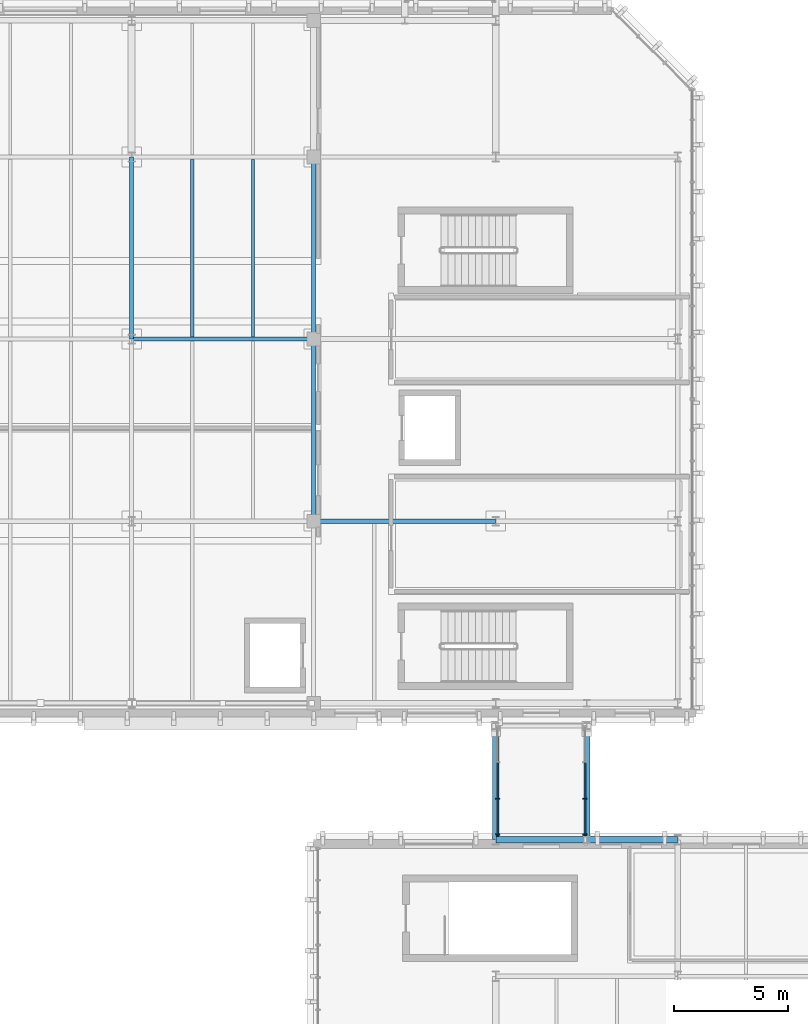
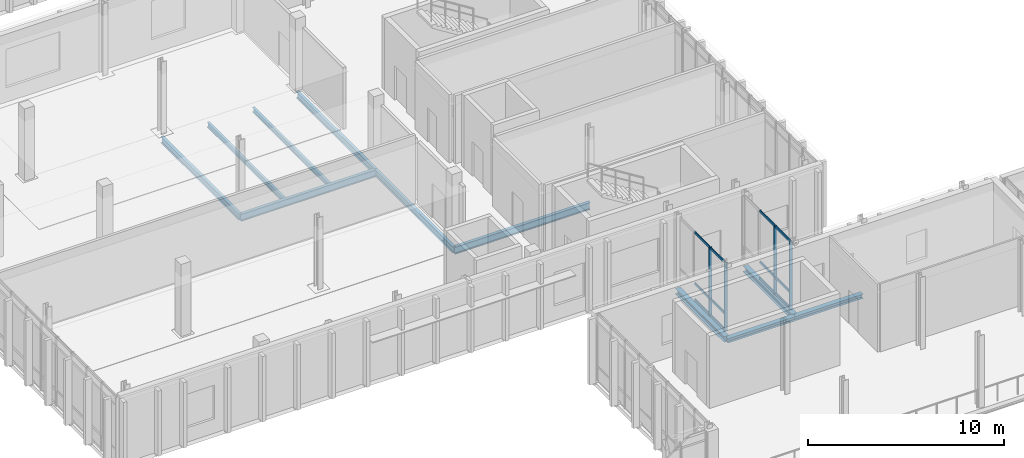
# One storey, part 23 of 100: 16 members, 11 beams, 2 elements without a shape of their own.
"""IFC4 building model written with IfcOpenShell, lengths in metres."""

from ifc_helpers import new_model, si_unit, direction, frame, origin, origin_2d, place, context, subcontext, project, spatial, rectangle, i_section, extrude, material, material_profile, profile_set, type_object, element, aggregate, save


model = new_model("IFC4")

# Units and contexts
model_context = context("Model", 3, precision=1e-05, world=origin(), true_north=direction((0.0, 1.0)))
body_context = subcontext(model_context, "Body", "Model", "MODEL_VIEW")
ifc_project = project(units=[si_unit("LENGTHUNIT", "METRE"), si_unit("AREAUNIT", "SQUARE_METRE"), si_unit("VOLUMEUNIT", "CUBIC_METRE"), si_unit("PLANEANGLEUNIT", "RADIAN"), si_unit("MASSUNIT", "GRAM", prefix="KILO")], contexts=[model_context])

# Site, building, storey
site_placement = place(None, origin())
site = spatial("IfcSite", under=ifc_project, at=site_placement, CompositionType="ELEMENT")
building_placement = place(site_placement, origin())
building = spatial("IfcBuilding", under=site, at=building_placement, Name="Cymarion Research Institute", CompositionType="ELEMENT")
storey_placement = place(building_placement, frame((0.0, 0.0, 9.300048828125)))
storey = spatial("IfcBuildingStorey", under=building, at=storey_placement, Name="L02", CompositionType="ELEMENT", Elevation=9.300048828125)

# Curtain wall, members
ifc_material_1 = material(Name="Anodised aluminium unitised curtain wall with Low-E glazing", Category="aluminium")
curtain_wall_type = type_object("IfcCurtainWallType", Name="UNITISED CURTAIN WALL CW24 4800X4260", PredefinedType="NOTDEFINED", material=ifc_material_1)
curtain_wall_1_placement = place(storey_placement, origin())
curtain_wall_1 = element("IfcCurtainWall", 1, at=curtain_wall_1_placement, inside=storey, type_object=curtain_wall_type, Name="L02 SP1 sky-passage glazed wall 1", PredefinedType="NOTDEFINED")
ifc_material_2 = material(Name="Anodised aluminium framing", Category="aluminium")
ifc_material_profile_1 = material_profile(ifc_material_2, rectangle(XDim=0.06005859375, YDim=0.179931640625, at=origin_2d()), Name="ALU MULLION 60x180")
ifc_profile_set_1 = profile_set([ifc_material_profile_1], Name="Anodised aluminium framing")
member_type_1 = type_object("IfcMemberType", Name="CURTAIN WALL MULLION ML01 60X180", PredefinedType="MULLION", material=ifc_profile_set_1)
member_1_placement = place(storey_placement, frame((38.679931640625, 41.72998046875, 0.0), z_axis=(0.0, 0.0, 1.0), x_axis=(0.0, 1.0, 0.0)))
member_1 = element("IfcMember", 2, at=member_1_placement, type_object=member_type_1, Name="CW24 mullion 1", PredefinedType="MULLION", context=body_context, shape_type="SweptSolid", body=[
    extrude(rectangle(XDim=0.06005859375, YDim=0.179931640625, at=origin_2d()), origin(), (0.0, 0.0, 1.0), 4.260009765625),
])
member_2_placement = place(storey_placement, frame((38.679931640625, 43.300048828125, 0.0), z_axis=(0.0, 0.0, 1.0), x_axis=(0.0, 1.0, 0.0)))
member_2 = element("IfcMember", 3, at=member_2_placement, type_object=member_type_1, Name="CW24 mullion 2", PredefinedType="MULLION", context=body_context, shape_type="SweptSolid", body=[
    extrude(rectangle(XDim=0.06005859375, YDim=0.179931640625, at=origin_2d()), origin(), (0.0, 0.0, 1.0), 4.260009765625),
])

curtain_wall_2_placement = place(storey_placement, origin())
curtain_wall_2 = element("IfcCurtainWall", 4, at=curtain_wall_2_placement, inside=storey, type_object=curtain_wall_type, Name="L02 SP1 sky-passage glazed wall 2", PredefinedType="NOTDEFINED")
member_3_placement = place(storey_placement, frame((42.52001953125, 41.72998046875, 0.0), z_axis=(0.0, 0.0, 1.0), x_axis=(0.0, 1.0, 0.0)))
member_3 = element("IfcMember", 5, at=member_3_placement, type_object=member_type_1, Name="CW24 mullion 1", PredefinedType="MULLION", context=body_context, shape_type="SweptSolid", body=[
    extrude(rectangle(XDim=0.06005859375, YDim=0.179931640625, at=origin_2d()), origin(), (0.0, 0.0, 1.0), 4.260009765625),
])
member_4_placement = place(storey_placement, frame((42.52001953125, 43.300048828125, 0.0), z_axis=(0.0, 0.0, 1.0), x_axis=(0.0, 1.0, 0.0)))
member_4 = element("IfcMember", 6, at=member_4_placement, type_object=member_type_1, Name="CW24 mullion 2", PredefinedType="MULLION", context=body_context, shape_type="SweptSolid", body=[
    extrude(rectangle(XDim=0.06005859375, YDim=0.179931640625, at=origin_2d()), origin(), (0.0, 0.0, 1.0), 4.260009765625),
])

# Member
ifc_material_profile_2 = material_profile(ifc_material_2, rectangle(XDim=0.06005859375, YDim=0.14990234375, at=origin_2d()), Name="ALU TRANSOM 60x150")
ifc_profile_set_2 = profile_set([ifc_material_profile_2], Name="Anodised aluminium framing")
member_type_2 = type_object("IfcMemberType", Name="CURTAIN WALL TRANSOM TR01 60X150", PredefinedType="USERDEFINED", material=ifc_profile_set_2)
member_5_placement = place(storey_placement, frame((38.679931640625, 41.760009765625, 0.030029296875), z_axis=(0.0, 1.0, 0.0), x_axis=(-1.0, 0.0, 0.0)))
member_5 = element("IfcMember", 7, at=member_5_placement, type_object=member_type_2, Name="CW24 transom 1.1", ObjectType="TRANSOM", PredefinedType="USERDEFINED", context=body_context, shape_type="SweptSolid", body=[
    extrude(rectangle(XDim=0.06005859375, YDim=0.14990234375, at=origin_2d()), origin(), (0.0, 0.0, 1.0), 1.510009765625),
])

member_6_placement = place(storey_placement, frame((38.679931640625, 41.760009765625, 1.050048828125), z_axis=(0.0, 1.0, 0.0), x_axis=(-1.0, 0.0, 0.0)))
member_6 = element("IfcMember", 8, at=member_6_placement, type_object=member_type_2, Name="CW24 transom 1.2", ObjectType="TRANSOM", PredefinedType="USERDEFINED", context=body_context, shape_type="SweptSolid", body=[
    extrude(rectangle(XDim=0.06005859375, YDim=0.14990234375, at=origin_2d()), origin(), (0.0, 0.0, 1.0), 1.510009765625),
])

member_7_placement = place(storey_placement, frame((38.679931640625, 41.760009765625, 4.22998046875), z_axis=(0.0, 1.0, 0.0), x_axis=(-1.0, 0.0, 0.0)))
member_7 = element("IfcMember", 9, at=member_7_placement, type_object=member_type_2, Name="CW24 transom 1.3", ObjectType="TRANSOM", PredefinedType="USERDEFINED", context=body_context, shape_type="SweptSolid", body=[
    extrude(rectangle(XDim=0.06005859375, YDim=0.14990234375, at=origin_2d()), origin(), (0.0, 0.0, 1.0), 1.510009765625),
])

member_8_placement = place(storey_placement, frame((38.679931640625, 43.330078125, 0.030029296875), z_axis=(0.0, 1.0, 0.0), x_axis=(-1.0, 0.0, 0.0)))
member_8 = element("IfcMember", 10, at=member_8_placement, type_object=member_type_2, Name="CW24 transom 2.1", ObjectType="TRANSOM", PredefinedType="USERDEFINED", context=body_context, shape_type="SweptSolid", body=[
    extrude(rectangle(XDim=0.06005859375, YDim=0.14990234375, at=origin_2d()), origin(), (0.0, 0.0, 1.0), 1.5400390625),
])

member_9_placement = place(storey_placement, frame((38.679931640625, 43.330078125, 1.050048828125), z_axis=(0.0, 1.0, 0.0), x_axis=(-1.0, 0.0, 0.0)))
member_9 = element("IfcMember", 11, at=member_9_placement, type_object=member_type_2, Name="CW24 transom 2.2", ObjectType="TRANSOM", PredefinedType="USERDEFINED", context=body_context, shape_type="SweptSolid", body=[
    extrude(rectangle(XDim=0.06005859375, YDim=0.14990234375, at=origin_2d()), origin(), (0.0, 0.0, 1.0), 1.5400390625),
])

member_10_placement = place(storey_placement, frame((38.679931640625, 43.330078125, 4.22998046875), z_axis=(0.0, 1.0, 0.0), x_axis=(-1.0, 0.0, 0.0)))
member_10 = element("IfcMember", 12, at=member_10_placement, type_object=member_type_2, Name="CW24 transom 2.3", ObjectType="TRANSOM", PredefinedType="USERDEFINED", context=body_context, shape_type="SweptSolid", body=[
    extrude(rectangle(XDim=0.06005859375, YDim=0.14990234375, at=origin_2d()), origin(), (0.0, 0.0, 1.0), 1.5400390625),
])

aggregate(curtain_wall_1, [member_1, member_2, member_5, member_6, member_7, member_8, member_9, member_10])

member_11_placement = place(storey_placement, frame((42.52001953125, 41.760009765625, 0.030029296875), z_axis=(0.0, 1.0, 0.0), x_axis=(-1.0, 0.0, 0.0)))
member_11 = element("IfcMember", 13, at=member_11_placement, type_object=member_type_2, Name="CW24 transom 1.1", ObjectType="TRANSOM", PredefinedType="USERDEFINED", context=body_context, shape_type="SweptSolid", body=[
    extrude(rectangle(XDim=0.06005859375, YDim=0.14990234375, at=origin_2d()), origin(), (0.0, 0.0, 1.0), 1.510009765625),
])

member_12_placement = place(storey_placement, frame((42.52001953125, 41.760009765625, 1.050048828125), z_axis=(0.0, 1.0, 0.0), x_axis=(-1.0, 0.0, 0.0)))
member_12 = element("IfcMember", 14, at=member_12_placement, type_object=member_type_2, Name="CW24 transom 1.2", ObjectType="TRANSOM", PredefinedType="USERDEFINED", context=body_context, shape_type="SweptSolid", body=[
    extrude(rectangle(XDim=0.06005859375, YDim=0.14990234375, at=origin_2d()), origin(), (0.0, 0.0, 1.0), 1.510009765625),
])

member_13_placement = place(storey_placement, frame((42.52001953125, 41.760009765625, 4.22998046875), z_axis=(0.0, 1.0, 0.0), x_axis=(-1.0, 0.0, 0.0)))
member_13 = element("IfcMember", 15, at=member_13_placement, type_object=member_type_2, Name="CW24 transom 1.3", ObjectType="TRANSOM", PredefinedType="USERDEFINED", context=body_context, shape_type="SweptSolid", body=[
    extrude(rectangle(XDim=0.06005859375, YDim=0.14990234375, at=origin_2d()), origin(), (0.0, 0.0, 1.0), 1.510009765625),
])

member_14_placement = place(storey_placement, frame((42.52001953125, 43.330078125, 0.030029296875), z_axis=(0.0, 1.0, 0.0), x_axis=(-1.0, 0.0, 0.0)))
member_14 = element("IfcMember", 16, at=member_14_placement, type_object=member_type_2, Name="CW24 transom 2.1", ObjectType="TRANSOM", PredefinedType="USERDEFINED", context=body_context, shape_type="SweptSolid", body=[
    extrude(rectangle(XDim=0.06005859375, YDim=0.14990234375, at=origin_2d()), origin(), (0.0, 0.0, 1.0), 1.5400390625),
])

member_15_placement = place(storey_placement, frame((42.52001953125, 43.330078125, 1.050048828125), z_axis=(0.0, 1.0, 0.0), x_axis=(-1.0, 0.0, 0.0)))
member_15 = element("IfcMember", 17, at=member_15_placement, type_object=member_type_2, Name="CW24 transom 2.2", ObjectType="TRANSOM", PredefinedType="USERDEFINED", context=body_context, shape_type="SweptSolid", body=[
    extrude(rectangle(XDim=0.06005859375, YDim=0.14990234375, at=origin_2d()), origin(), (0.0, 0.0, 1.0), 1.5400390625),
])

member_16_placement = place(storey_placement, frame((42.52001953125, 43.330078125, 4.22998046875), z_axis=(0.0, 1.0, 0.0), x_axis=(-1.0, 0.0, 0.0)))
member_16 = element("IfcMember", 18, at=member_16_placement, type_object=member_type_2, Name="CW24 transom 2.3", ObjectType="TRANSOM", PredefinedType="USERDEFINED", context=body_context, shape_type="SweptSolid", body=[
    extrude(rectangle(XDim=0.06005859375, YDim=0.14990234375, at=origin_2d()), origin(), (0.0, 0.0, 1.0), 1.5400390625),
])

aggregate(curtain_wall_2, [member_3, member_4, member_11, member_12, member_13, member_14, member_15, member_16])

# Beams
ifc_material_3 = material(Name="Steel S355", Category="steel")
ifc_material_profile_3 = material_profile(ifc_material_3, i_section(OverallWidth=0.18994140625, OverallDepth=0.449951171875, WebThickness=0.009521484375, FlangeThickness=0.0146484375, FilletRadius=0.02099609375, at=origin_2d()), Name="IPE 450")
ifc_profile_set_3 = profile_set([ifc_material_profile_3], Name="Steel S355")
beam_type_1 = type_object("IfcBeamType", Name="PRIMARY GIRDER BM04 IPE 450", PredefinedType="BEAM", material=ifc_profile_set_3)
for number, where, z_axis, x_axis, name in (
    (19, (30.60595703125, 55.5, -0.47509765625), (1.0, 0.0, 0.0), (0.0, 1.0, 0.0), "L02 V4 girder BM04 #1037"),
    (20, (22.60595703125, 63.5, -0.47509765625), (1.0, 0.0, 0.0), (0.0, 1.0, 0.0), "L02 V4 girder BM04 #1041"),
):
    element("IfcBeam", number, at=place(storey_placement, frame(where, z_axis=z_axis, x_axis=x_axis)), inside=storey, type_object=beam_type_1, Name=name, PredefinedType="BEAM", context=body_context, shape_type="SweptSolid", body=[
        extrude(i_section(OverallWidth=0.18994140625, OverallDepth=0.449951171875, WebThickness=0.009521484375, FlangeThickness=0.0146484375, FilletRadius=0.02099609375, at=origin_2d()), origin(), (0.0, 0.0, 1.0), 7.988037109375),
    ])
ifc_material_profile_4 = material_profile(ifc_material_3, i_section(OverallWidth=0.179931640625, OverallDepth=0.39990234375, WebThickness=0.008544921875, FlangeThickness=0.013427734375, FilletRadius=0.02099609375, at=origin_2d()), Name="IPE 400")
ifc_profile_set_4 = profile_set([ifc_material_profile_4], Name="Steel S355")
beam_type_2 = type_object("IfcBeamType", Name="PRIMARY GIRDER BM05 IPE 400", PredefinedType="BEAM", material=ifc_profile_set_4)
for number, where, z_axis, x_axis, name in (
    (21, (22.60009765625, 63.506103515625, -0.449951171875), (0.0, 1.0, 0.0), (-1.0, 0.0, 0.0), "L02 V4 girder BM05 #1064"),
    (22, (30.60009765625, 55.506103515625, -0.449951171875), (0.0, 1.0, 0.0), (-1.0, 0.0, 0.0), "L02 V4 girder BM05 #1067"),
    (23, (30.60009765625, 63.506103515625, -0.449951171875), (0.0, 1.0, 0.0), (-1.0, 0.0, 0.0), "L02 V4 girder BM05 #1068"),
):
    element("IfcBeam", number, at=place(storey_placement, frame(where, z_axis=z_axis, x_axis=x_axis)), inside=storey, type_object=beam_type_2, Name=name, PredefinedType="BEAM", context=body_context, shape_type="SweptSolid", body=[
        extrude(i_section(OverallWidth=0.179931640625, OverallDepth=0.39990234375, WebThickness=0.008544921875, FlangeThickness=0.013427734375, FilletRadius=0.02099609375, at=origin_2d()), origin(), (0.0, 0.0, 1.0), 7.98779296875),
    ])
ifc_material_profile_5 = material_profile(ifc_material_3, i_section(OverallWidth=0.300048828125, OverallDepth=0.35009765625, WebThickness=0.010009765625, FlangeThickness=0.017578125, FilletRadius=0.027099609375, at=origin_2d()), Name="HEA 360")
ifc_profile_set_5 = profile_set([ifc_material_profile_5], Name="Steel S355")
beam_type_3 = type_object("IfcBeamType", Name="PRIMARY GIRDER BM12 HEA 360", PredefinedType="BEAM", material=ifc_profile_set_5)
for number, where, z_axis, x_axis, name in (
    (24, (38.60009765625, 41.506103515625, -0.3349609375), (0.0, 1.0, 0.0), (-1.0, 0.0, 0.0), "L02 V3 girder BM12 #987"),
    (25, (42.60009765625, 41.506103515625, -0.3349609375), (0.0, 1.0, 0.0), (-1.0, 0.0, 0.0), "L02 V3 girder BM12 #988"),
):
    element("IfcBeam", number, at=place(storey_placement, frame(where, z_axis=z_axis, x_axis=x_axis)), inside=storey, type_object=beam_type_3, Name=name, PredefinedType="BEAM", context=body_context, shape_type="SweptSolid", body=[
        extrude(i_section(OverallWidth=0.300048828125, OverallDepth=0.35009765625, WebThickness=0.010009765625, FlangeThickness=0.017578125, FilletRadius=0.027099609375, at=origin_2d()), origin(), (0.0, 0.0, 1.0), 4.98779296875),
    ])
ifc_material_profile_6 = material_profile(ifc_material_3, i_section(OverallWidth=0.14990234375, OverallDepth=0.300048828125, WebThickness=0.007080078125, FlangeThickness=0.0107421875, FilletRadius=0.014892578125, at=origin_2d()), Name="IPE 300")
ifc_profile_set_6 = profile_set([ifc_material_profile_6], Name="Steel S355")
beam_type_4 = type_object("IfcBeamType", Name="SECONDARY JOIST JS02 IPE 300", PredefinedType="JOIST", material=ifc_profile_set_6)
for number, where, z_axis, x_axis, name in (
    (26, (25.2666015625, 63.59912109375, -0.400146484375), (0.0, 1.0, 0.0), (-1.0, 0.0, 0.0), "L02 V4 secondary joist JS02 #1091"),
    (27, (27.933349609375, 63.59912109375, -0.400146484375), (0.0, 1.0, 0.0), (-1.0, 0.0, 0.0), "L02 V4 secondary joist JS02 #1092"),
):
    element("IfcBeam", number, at=place(storey_placement, frame(where, z_axis=z_axis, x_axis=x_axis)), inside=storey, type_object=beam_type_4, Name=name, PredefinedType="JOIST", context=body_context, shape_type="SweptSolid", body=[
        extrude(i_section(OverallWidth=0.14990234375, OverallDepth=0.300048828125, WebThickness=0.007080078125, FlangeThickness=0.0107421875, FilletRadius=0.014892578125, at=origin_2d()), origin(), (0.0, 0.0, 1.0), 7.8017578125),
    ])
ifc_material_profile_7 = material_profile(ifc_material_3, i_section(OverallWidth=0.280029296875, OverallDepth=0.27001953125, WebThickness=0.008056640625, FlangeThickness=0.012939453125, FilletRadius=0.02392578125, at=origin_2d()), Name="HEA 280")
ifc_profile_set_7 = profile_set([ifc_material_profile_7], Name="Steel S355")
beam_type_5 = type_object("IfcBeamType", Name="SPANDREL BEAM SPB02 HEA 280", PredefinedType="SPANDREL", material=ifc_profile_set_7)
for number, where, z_axis, x_axis, name in (
    (28, (38.60595703125, 41.5, -0.385009765625), (1.0, 0.0, 0.0), (0.0, 1.0, 0.0), "L02 V3 girder SPB02 #966"),
    (29, (42.60595703125, 41.5, -0.385009765625), (1.0, 0.0, 0.0), (0.0, 1.0, 0.0), "L02 V3 girder SPB02 #967"),
):
    element("IfcBeam", number, at=place(storey_placement, frame(where, z_axis=z_axis, x_axis=x_axis)), inside=storey, type_object=beam_type_5, Name=name, PredefinedType="SPANDREL", context=body_context, shape_type="SweptSolid", body=[
        extrude(i_section(OverallWidth=0.280029296875, OverallDepth=0.27001953125, WebThickness=0.008056640625, FlangeThickness=0.012939453125, FilletRadius=0.02392578125, at=origin_2d()), origin(), (0.0, 0.0, 1.0), 3.988037109375),
    ])

save(model, "model.ifc")
